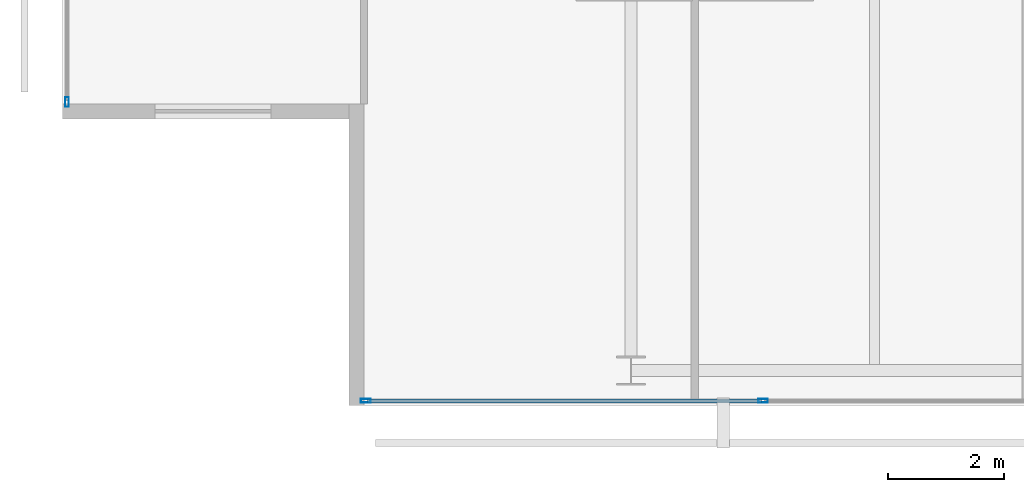
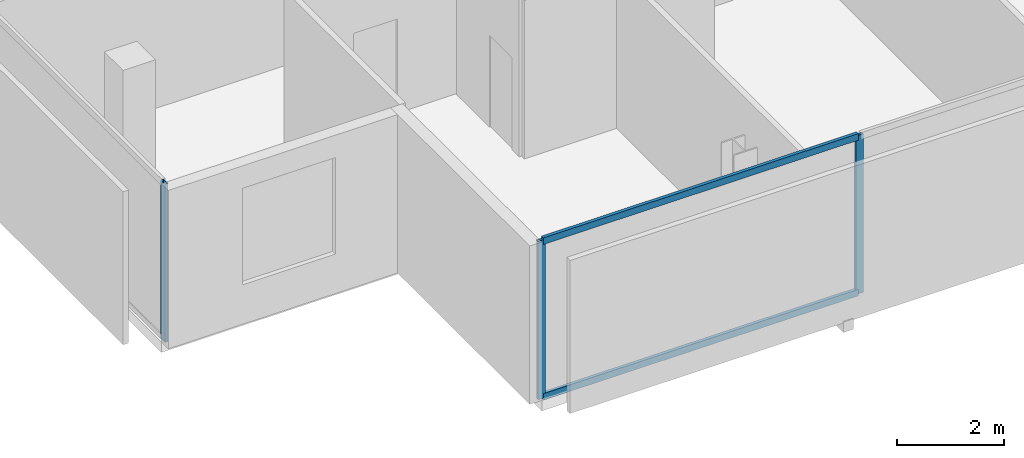
# One storey, part 2 of 25: 5 members, 2 elements without a shape of their own.
"""IFC4 building model written with IfcOpenShell, lengths in metres."""

from ifc_helpers import new_model, si_unit, direction, frame, origin, origin_2d, place, context, subcontext, project, spatial, hollow_rectangle, extrude, material, layer, layer_set, material_profile, profile_set, type_object, element, aggregate, save


model = new_model("IFC4")

# Units and contexts
model_context = context("Model", 3, precision=1e-05, world=origin(), true_north=direction((0.0, 1.0)))
body_context = subcontext(model_context, "Body", "Model", "MODEL_VIEW")
ifc_project = project(units=[si_unit("LENGTHUNIT", "METRE"), si_unit("AREAUNIT", "SQUARE_METRE"), si_unit("VOLUMEUNIT", "CUBIC_METRE"), si_unit("PLANEANGLEUNIT", "RADIAN"), si_unit("MASSUNIT", "GRAM", prefix="KILO")], contexts=[model_context])

# Site, building, storey
site_placement = place(None, origin())
site = spatial("IfcSite", under=ifc_project, at=site_placement, CompositionType="ELEMENT")
building_placement = place(site_placement, origin())
building = spatial("IfcBuilding", under=site, at=building_placement, Name="Maruvema Waterfront Hotel and Observation Tower", CompositionType="ELEMENT")
storey_placement = place(building_placement, frame((0.0, 0.0, 247.10009765625)))
storey = spatial("IfcBuildingStorey", under=building, at=storey_placement, Name="L60", CompositionType="ELEMENT", Elevation=247.10009765625)

# Curtain wall, members
ifc_material_1 = material(Name="Anodised bronze aluminium and solar-control low-E IGU", Category="aluminium")
ifc_layer = layer(ifc_material_1, 0.159912109375, Name="Zone 3 Champagne Inner Thermal Curtain Wall System CW-04")
ifc_layer_set = layer_set([ifc_layer], Name="Anodised bronze aluminium and solar-control low-E IGU")
curtain_wall_type = type_object("IfcCurtainWallType", Name="Zone 3 Champagne Inner Thermal Curtain Wall System CW-04", PredefinedType="USERDEFINED", material=ifc_layer_set)
curtain_wall_1_placement = place(storey_placement, origin())
curtain_wall_1 = element("IfcCurtainWall", 1, at=curtain_wall_1_placement, inside=storey, type_object=curtain_wall_type, Name="L60 Curtain Wall CW-L60-S", ObjectType="UNITISED CURTAIN WALL", PredefinedType="USERDEFINED")
ifc_material_2 = material(Name="Anodised architectural bronze aluminium", Category="aluminium")
ifc_material_profile_1 = material_profile(ifc_material_2, hollow_rectangle(XDim=0.070068359375, YDim=0.14990234375, WallThickness=0.00390625, at=origin_2d()), Name="ALU-T70x150")
ifc_profile_set_1 = profile_set([ifc_material_profile_1], Name="Anodised architectural bronze aluminium")
member_type_1 = type_object("IfcMemberType", Name="Curtain Wall Horizontal Transom ALU-T70x150", PredefinedType="USERDEFINED", material=ifc_profile_set_1)
member_1_placement = place(storey_placement, frame((20.659912109375, 9.280029296875, 0.02978515625), z_axis=(1.0, 0.0, 0.0), x_axis=(0.0, 1.0, 0.0)))
member_1 = element("IfcMember", 2, at=member_1_placement, type_object=member_type_1, Name="CW-04 transom 1.1", ObjectType="TRANSOM", PredefinedType="USERDEFINED", context=body_context, shape_type="SweptSolid", body=[
    extrude(hollow_rectangle(XDim=0.070068359375, YDim=0.14990234375, WallThickness=0.00390625, at=origin_2d()), origin(), (0.0, 0.0, 1.0), 6.7900390625),
])
member_2_placement = place(storey_placement, frame((20.659912109375, 9.280029296875, 3.579833984375), z_axis=(1.0, 0.0, 0.0), x_axis=(0.0, 1.0, 0.0)))
member_2 = element("IfcMember", 3, at=member_2_placement, type_object=member_type_1, Name="CW-04 transom 1.2", ObjectType="TRANSOM", PredefinedType="USERDEFINED", context=body_context, shape_type="SweptSolid", body=[
    extrude(hollow_rectangle(XDim=0.070068359375, YDim=0.14990234375, WallThickness=0.00390625, at=origin_2d()), origin(), (0.0, 0.0, 1.0), 6.7900390625),
])
ifc_material_3 = material(Name="Anodised architectural bronze aluminium", Category="aluminium")
ifc_material_profile_2 = material_profile(ifc_material_3, hollow_rectangle(XDim=0.06494140625, YDim=0.1650390625, WallThickness=0.00390625, at=origin_2d()), Name="ALU-M65x165")
ifc_profile_set_2 = profile_set([ifc_material_profile_2], Name="Anodised architectural bronze aluminium")
member_type_2 = type_object("IfcMemberType", Name="Curtain Wall Primary Mullion ALU-M65x165", PredefinedType="MULLION", material=ifc_profile_set_2)
member_3_placement = place(storey_placement, frame((20.6298828125, 9.280029296875, 0.0), z_axis=(0.0, 0.0, 1.0), x_axis=(0.0, 1.0, 0.0)))
member_3 = element("IfcMember", 4, at=member_3_placement, type_object=member_type_2, Name="CW-04 mullion 1", PredefinedType="MULLION", context=body_context, shape_type="SweptSolid", body=[
    extrude(hollow_rectangle(XDim=0.06494140625, YDim=0.1650390625, WallThickness=0.00390625, at=origin_2d()), origin(), (0.0, 0.0, 1.0), 3.60986328125),
])
member_4_placement = place(storey_placement, frame((27.47998046875, 9.280029296875, 0.0), z_axis=(0.0, 0.0, 1.0), x_axis=(0.0, 1.0, 0.0)))
member_4 = element("IfcMember", 5, at=member_4_placement, type_object=member_type_2, Name="CW-04 mullion 2", PredefinedType="MULLION", context=body_context, shape_type="SweptSolid", body=[
    extrude(hollow_rectangle(XDim=0.06494140625, YDim=0.1650390625, WallThickness=0.00390625, at=origin_2d()), origin(), (0.0, 0.0, 1.0), 3.60986328125),
])
aggregate(curtain_wall_1, [member_3, member_4, member_1, member_2])

# Curtain wall, member
curtain_wall_2_placement = place(storey_placement, origin())
curtain_wall_2 = element("IfcCurtainWall", 6, at=curtain_wall_2_placement, inside=storey, type_object=curtain_wall_type, Name="L60 Curtain Wall CW-L60-W", ObjectType="UNITISED CURTAIN WALL", PredefinedType="USERDEFINED")
member_5_placement = place(storey_placement, frame((15.47998046875, 14.429931640625, 0.0), z_axis=(0.0, 0.0, 1.0), x_axis=(1.0, 0.0, 0.0)))
member_5 = element("IfcMember", 7, at=member_5_placement, type_object=member_type_2, Name="CW-04 mullion 6", PredefinedType="MULLION", context=body_context, shape_type="SweptSolid", body=[
    extrude(hollow_rectangle(XDim=0.06494140625, YDim=0.1650390625, WallThickness=0.00390625, at=origin_2d()), origin(), (0.0, 0.0, 1.0), 3.60986328125),
])
aggregate(curtain_wall_2, [member_5])

save(model, "model.ifc")
